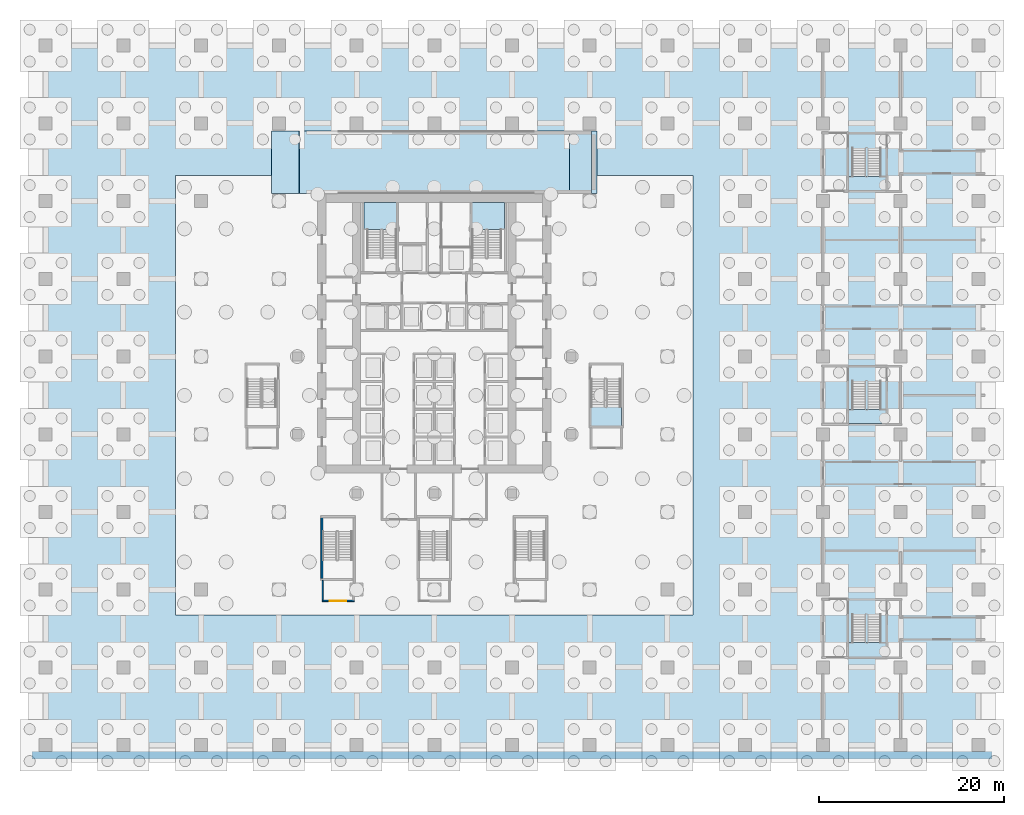
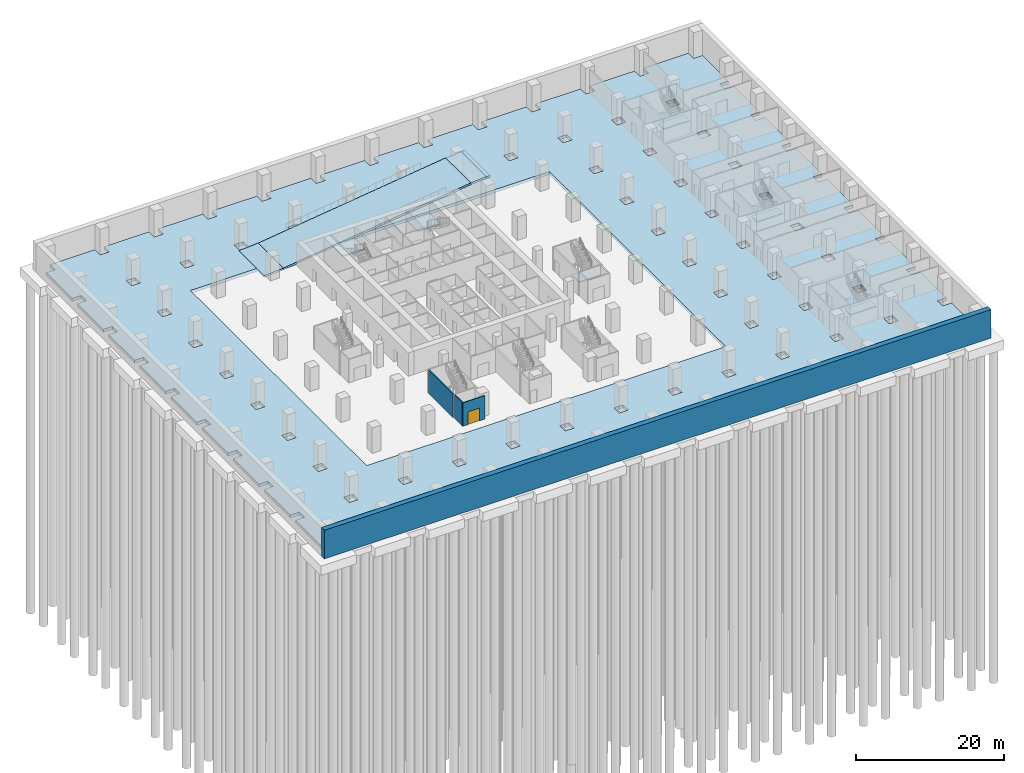
# One storey, part 8 of 22: 11 slabs, 4 walls, 1 door, 1 opening, 6 elements without a shape of their own.
"""IFC4 building model written with IfcOpenShell, lengths in metres."""

from ifc_helpers import new_model, si_unit, direction, frame, frame_2d, origin, place, context, subcontext, project, spatial, polyline, rectangle, outline, extrude, material, layer, layer_set, type_object, element, fill, aggregate, save


model = new_model("IFC4")

# Units and contexts
model_context = context("Model", 3, precision=1e-05, world=origin(), true_north=direction((0.0, 1.0)))
body_context = subcontext(model_context, "Body", "Model", "MODEL_VIEW")
ifc_project = project(units=[si_unit("LENGTHUNIT", "METRE"), si_unit("AREAUNIT", "SQUARE_METRE"), si_unit("VOLUMEUNIT", "CUBIC_METRE"), si_unit("PLANEANGLEUNIT", "RADIAN"), si_unit("MASSUNIT", "GRAM", prefix="KILO")], contexts=[model_context])

# Site, building, storey
site_placement = place(None, origin())
site = spatial("IfcSite", under=ifc_project, at=site_placement, CompositionType="ELEMENT")
building_placement = place(site_placement, origin())
building = spatial("IfcBuilding", under=site, at=building_placement, Name="Vermilion Ogive Tower", CompositionType="ELEMENT")
storey_placement = place(building_placement, frame((0.0, 0.0, -8.39990234375)))
storey = spatial("IfcBuildingStorey", under=building, at=storey_placement, Name="B2", CompositionType="ELEMENT", Elevation=-8.39990234375)

# Slabs
ifc_material_1 = material(Name="Concrete B45", Category="concrete")
ifc_layer_1 = layer(ifc_material_1, 0.5)
ifc_layer_set_1 = layer_set([ifc_layer_1], Name="Basement base slab 500")
slab_type_1 = type_object("IfcSlabType", Name="Basement base slab 500", PredefinedType="BASESLAB", material=ifc_layer_set_1)
slab_1_placement = place(storey_placement, frame((0.0, 0.0, -0.5)))
element("IfcSlab", 1, at=slab_1_placement, inside=storey, type_object=slab_type_1, Name="B2 slab 1", PredefinedType="BASESLAB", context=body_context, shape_type="SweptSolid", body=[
    extrude(outline(polyline([(59.5, -37.10009765625), (59.5, -30.10009765625), (58.10009765625, -30.10009765625), (58.10009765625, -28.699951171875), (59.5, -28.699951171875), (59.5, -21.699951171875), (58.10009765625, -21.699951171875), (58.10009765625, -20.300048828125), (59.5, -20.300048828125), (59.5, -13.300048828125), (58.10009765625, -13.300048828125), (58.10009765625, -11.89990234375), (59.5, -11.89990234375), (59.5, -4.89990234375), (58.10009765625, -4.89990234375), (58.10009765625, -3.5), (59.5, -3.5), (59.5, 3.5), (58.10009765625, 3.5), (58.10009765625, 4.89990234375), (59.5, 4.89990234375), (59.5, 11.89990234375), (58.10009765625, 11.89990234375), (58.10009765625, 13.300048828125), (59.5, 13.300048828125), (59.5, 20.300048828125), (58.10009765625, 20.300048828125), (58.10009765625, 21.699951171875), (59.5, 21.699951171875), (59.5, 28.699951171875), (58.10009765625, 28.699951171875), (58.10009765625, 30.10009765625), (59.5, 30.10009765625), (59.5, 37.10009765625), (58.10009765625, 37.10009765625), (58.10009765625, 38.5), (51.10009765625, 38.5), (51.10009765625, 37.10009765625), (49.699951171875, 37.10009765625), (49.699951171875, 38.5), (42.699951171875, 38.5), (42.699951171875, 37.10009765625), (41.300048828125, 37.10009765625), (41.300048828125, 38.5), (34.300048828125, 38.5), (34.300048828125, 37.10009765625), (32.89990234375, 37.10009765625), (32.89990234375, 38.5), (25.89990234375, 38.5), (25.89990234375, 37.10009765625), (24.5, 37.10009765625), (24.5, 38.5), (17.5, 38.5), (17.5, 37.10009765625), (16.10009765625, 37.10009765625), (16.10009765625, 38.5), (9.10009765625, 38.5), (9.10009765625, 37.10009765625), (7.699951171875, 37.10009765625), (7.699951171875, 38.5), (0.699951171875, 38.5), (0.699951171875, 37.10009765625), (-0.699951171875, 37.10009765625), (-0.699951171875, 38.5), (-7.699951171875, 38.5), (-7.699951171875, 37.10009765625), (-9.10009765625, 37.10009765625), (-9.10009765625, 38.5), (-16.10009765625, 38.5), (-16.10009765625, 37.10009765625), (-17.5, 37.10009765625), (-17.5, 38.5), (-24.5, 38.5), (-24.5, 37.10009765625), (-25.89990234375, 37.10009765625), (-25.89990234375, 38.5), (-32.89990234375, 38.5), (-32.89990234375, 37.10009765625), (-34.300048828125, 37.10009765625), (-34.300048828125, 38.5), (-41.300048828125, 38.5), (-41.300048828125, 37.10009765625), (-42.699951171875, 37.10009765625), (-42.699951171875, 30.10009765625), (-41.300048828125, 30.10009765625), (-41.300048828125, 28.699951171875), (-42.699951171875, 28.699951171875), (-42.699951171875, 21.699951171875), (-41.300048828125, 21.699951171875), (-41.300048828125, 20.300048828125), (-42.699951171875, 20.300048828125), (-42.699951171875, 13.300048828125), (-41.300048828125, 13.300048828125), (-41.300048828125, 11.89990234375), (-42.699951171875, 11.89990234375), (-42.699951171875, 4.89990234375), (-41.300048828125, 4.89990234375), (-41.300048828125, 3.5), (-42.699951171875, 3.5), (-42.699951171875, -3.5), (-41.300048828125, -3.5), (-41.300048828125, -4.89990234375), (-42.699951171875, -4.89990234375), (-42.699951171875, -11.89990234375), (-41.300048828125, -11.89990234375), (-41.300048828125, -13.300048828125), (-42.699951171875, -13.300048828125), (-42.699951171875, -20.300048828125), (-41.300048828125, -20.300048828125), (-41.300048828125, -21.699951171875), (-42.699951171875, -21.699951171875), (-42.699951171875, -28.699951171875), (-41.300048828125, -28.699951171875), (-41.300048828125, -30.10009765625), (-42.699951171875, -30.10009765625), (-42.699951171875, -37.10009765625), (-41.300048828125, -37.10009765625), (-41.300048828125, -38.5), (-34.300048828125, -38.5), (-34.300048828125, -37.10009765625), (-32.89990234375, -37.10009765625), (-32.89990234375, -38.5), (-25.89990234375, -38.5), (-25.89990234375, -37.10009765625), (-24.5, -37.10009765625), (-24.5, -38.5), (-17.5, -38.5), (-17.5, -37.10009765625), (-16.10009765625, -37.10009765625), (-16.10009765625, -38.5), (-9.10009765625, -38.5), (-9.10009765625, -37.10009765625), (-7.699951171875, -37.10009765625), (-7.699951171875, -38.5), (-0.699951171875, -38.5), (-0.699951171875, -37.10009765625), (0.699951171875, -37.10009765625), (0.699951171875, -38.5), (7.699951171875, -38.5), (7.699951171875, -37.10009765625), (9.10009765625, -37.10009765625), (9.10009765625, -38.5), (16.10009765625, -38.5), (16.10009765625, -37.10009765625), (17.5, -37.10009765625), (17.5, -38.5), (24.5, -38.5), (24.5, -37.10009765625), (25.89990234375, -37.10009765625), (25.89990234375, -38.5), (32.89990234375, -38.5), (32.89990234375, -37.10009765625), (34.300048828125, -37.10009765625), (34.300048828125, -38.5), (41.300048828125, -38.5), (41.300048828125, -37.10009765625), (42.699951171875, -37.10009765625), (42.699951171875, -38.5), (49.699951171875, -38.5), (49.699951171875, -37.10009765625), (51.10009765625, -37.10009765625), (51.10009765625, -38.5), (58.10009765625, -38.5), (58.10009765625, -37.10009765625), (59.5, -37.10009765625)]), holes=[polyline([(-25.89990234375, -28.699951171875), (-24.5, -28.699951171875), (-24.5, -30.10009765625), (-25.89990234375, -30.10009765625), (-25.89990234375, -28.699951171875)]), polyline([(-34.300048828125, -30.10009765625), (-34.300048828125, -28.699951171875), (-32.89990234375, -28.699951171875), (-32.89990234375, -30.10009765625), (-34.300048828125, -30.10009765625)]), polyline([(-17.5, -28.699951171875), (-16.10009765625, -28.699951171875), (-16.10009765625, -30.10009765625), (-17.5, -30.10009765625), (-17.5, -28.699951171875)]), polyline([(-34.300048828125, -20.300048828125), (-32.89990234375, -20.300048828125), (-32.89990234375, -21.699951171875), (-34.300048828125, -21.699951171875), (-34.300048828125, -20.300048828125)]), polyline([(-34.300048828125, -11.89990234375), (-32.89990234375, -11.89990234375), (-32.89990234375, -13.300048828125), (-34.300048828125, -13.300048828125), (-34.300048828125, -11.89990234375)]), polyline([(-34.300048828125, -4.89990234375), (-34.300048828125, -3.5), (-32.89990234375, -3.5), (-32.89990234375, -4.89990234375), (-34.300048828125, -4.89990234375)]), polyline([(-34.300048828125, 4.89990234375), (-32.89990234375, 4.89990234375), (-32.89990234375, 3.5), (-34.300048828125, 3.5), (-34.300048828125, 4.89990234375)]), polyline([(-34.300048828125, 11.89990234375), (-34.300048828125, 13.300048828125), (-32.89990234375, 13.300048828125), (-32.89990234375, 11.89990234375), (-34.300048828125, 11.89990234375)]), polyline([(-34.300048828125, 21.699951171875), (-32.89990234375, 21.699951171875), (-32.89990234375, 20.300048828125), (-34.300048828125, 20.300048828125), (-34.300048828125, 21.699951171875)]), polyline([(-17.5, 30.10009765625), (-16.10009765625, 30.10009765625), (-16.10009765625, 28.699951171875), (-17.5, 28.699951171875), (-17.5, 30.10009765625)]), polyline([(-9.10009765625, 28.699951171875), (-9.10009765625, 30.10009765625), (-7.699951171875, 30.10009765625), (-7.699951171875, 28.699951171875), (-9.10009765625, 28.699951171875)]), polyline([(-25.89990234375, 28.699951171875), (-25.89990234375, 30.10009765625), (-24.5, 30.10009765625), (-24.5, 28.699951171875), (-25.89990234375, 28.699951171875)]), polyline([(-34.300048828125, 28.699951171875), (-34.300048828125, 30.10009765625), (-32.89990234375, 30.10009765625), (-32.89990234375, 28.699951171875), (-34.300048828125, 28.699951171875)]), polyline([(32.89990234375, -30.10009765625), (32.89990234375, -28.699951171875), (34.300048828125, -28.699951171875), (34.300048828125, -30.10009765625), (32.89990234375, -30.10009765625)]), polyline([(24.5, -28.699951171875), (25.89990234375, -28.699951171875), (25.89990234375, -30.10009765625), (24.5, -30.10009765625), (24.5, -28.699951171875)]), polyline([(16.10009765625, -28.699951171875), (17.5, -28.699951171875), (17.5, -30.10009765625), (16.10009765625, -30.10009765625), (16.10009765625, -28.699951171875)]), polyline([(7.699951171875, -30.10009765625), (7.699951171875, -28.699951171875), (9.10009765625, -28.699951171875), (9.10009765625, -30.10009765625), (7.699951171875, -30.10009765625)]), polyline([(-9.10009765625, -28.699951171875), (-7.699951171875, -28.699951171875), (-7.699951171875, -30.10009765625), (-9.10009765625, -30.10009765625), (-9.10009765625, -28.699951171875)]), polyline([(-0.699951171875, -28.699951171875), (0.699951171875, -28.699951171875), (0.699951171875, -30.10009765625), (-0.699951171875, -30.10009765625), (-0.699951171875, -28.699951171875)]), polyline([(32.89990234375, -21.699951171875), (32.89990234375, -20.300048828125), (34.300048828125, -20.300048828125), (34.300048828125, -21.699951171875), (32.89990234375, -21.699951171875)]), polyline([(32.89990234375, -11.89990234375), (34.300048828125, -11.89990234375), (34.300048828125, -13.300048828125), (32.89990234375, -13.300048828125), (32.89990234375, -11.89990234375)]), polyline([(32.89990234375, -3.5), (34.300048828125, -3.5), (34.300048828125, -4.89990234375), (32.89990234375, -4.89990234375), (32.89990234375, -3.5)]), polyline([(32.89990234375, 3.5), (32.89990234375, 4.89990234375), (34.300048828125, 4.89990234375), (34.300048828125, 3.5), (32.89990234375, 3.5)]), polyline([(32.89990234375, 11.89990234375), (32.89990234375, 13.300048828125), (34.300048828125, 13.300048828125), (34.300048828125, 11.89990234375), (32.89990234375, 11.89990234375)]), polyline([(32.89990234375, 21.699951171875), (34.300048828125, 21.699951171875), (34.300048828125, 20.300048828125), (32.89990234375, 20.300048828125), (32.89990234375, 21.699951171875)]), polyline([(24.5, 30.10009765625), (25.89990234375, 30.10009765625), (25.89990234375, 28.699951171875), (24.5, 28.699951171875), (24.5, 30.10009765625)]), polyline([(32.89990234375, 28.699951171875), (32.89990234375, 30.10009765625), (34.300048828125, 30.10009765625), (34.300048828125, 28.699951171875), (32.89990234375, 28.699951171875)]), polyline([(-0.699951171875, 30.10009765625), (0.699951171875, 30.10009765625), (0.699951171875, 28.699951171875), (-0.699951171875, 28.699951171875), (-0.699951171875, 30.10009765625)]), polyline([(16.10009765625, 30.10009765625), (17.5, 30.10009765625), (17.5, 28.699951171875), (16.10009765625, 28.699951171875), (16.10009765625, 30.10009765625)]), polyline([(7.699951171875, 28.699951171875), (7.699951171875, 30.10009765625), (9.10009765625, 30.10009765625), (9.10009765625, 28.699951171875), (7.699951171875, 28.699951171875)]), polyline([(41.300048828125, -30.10009765625), (41.300048828125, -28.699951171875), (42.699951171875, -28.699951171875), (42.699951171875, -30.10009765625), (41.300048828125, -30.10009765625)]), polyline([(49.699951171875, -28.699951171875), (51.10009765625, -28.699951171875), (51.10009765625, -30.10009765625), (49.699951171875, -30.10009765625), (49.699951171875, -28.699951171875)]), polyline([(49.699951171875, -20.300048828125), (51.10009765625, -20.300048828125), (51.10009765625, -21.699951171875), (49.699951171875, -21.699951171875), (49.699951171875, -20.300048828125)]), polyline([(41.300048828125, -21.699951171875), (41.300048828125, -20.300048828125), (42.699951171875, -20.300048828125), (42.699951171875, -21.699951171875), (41.300048828125, -21.699951171875)]), polyline([(41.300048828125, -13.300048828125), (41.300048828125, -11.89990234375), (42.699951171875, -11.89990234375), (42.699951171875, -13.300048828125), (41.300048828125, -13.300048828125)]), polyline([(49.699951171875, -11.89990234375), (51.10009765625, -11.89990234375), (51.10009765625, -13.300048828125), (49.699951171875, -13.300048828125), (49.699951171875, -11.89990234375)]), polyline([(41.300048828125, -4.89990234375), (41.300048828125, -3.5), (42.699951171875, -3.5), (42.699951171875, -4.89990234375), (41.300048828125, -4.89990234375)]), polyline([(49.699951171875, -3.5), (51.10009765625, -3.5), (51.10009765625, -4.89990234375), (49.699951171875, -4.89990234375), (49.699951171875, -3.5)]), polyline([(49.699951171875, 3.5), (49.699951171875, 4.89990234375), (51.10009765625, 4.89990234375), (51.10009765625, 3.5), (49.699951171875, 3.5)]), polyline([(41.300048828125, 4.89990234375), (42.699951171875, 4.89990234375), (42.699951171875, 3.5), (41.300048828125, 3.5), (41.300048828125, 4.89990234375)]), polyline([(49.699951171875, 11.89990234375), (49.699951171875, 13.300048828125), (51.10009765625, 13.300048828125), (51.10009765625, 11.89990234375), (49.699951171875, 11.89990234375)]), polyline([(41.300048828125, 13.300048828125), (42.699951171875, 13.300048828125), (42.699951171875, 11.89990234375), (41.300048828125, 11.89990234375), (41.300048828125, 13.300048828125)]), polyline([(41.300048828125, 20.300048828125), (41.300048828125, 21.699951171875), (42.699951171875, 21.699951171875), (42.699951171875, 20.300048828125), (41.300048828125, 20.300048828125)]), polyline([(49.699951171875, 21.699951171875), (51.10009765625, 21.699951171875), (51.10009765625, 20.300048828125), (49.699951171875, 20.300048828125), (49.699951171875, 21.699951171875)]), polyline([(41.300048828125, 30.10009765625), (42.699951171875, 30.10009765625), (42.699951171875, 28.699951171875), (41.300048828125, 28.699951171875), (41.300048828125, 30.10009765625)]), polyline([(49.699951171875, 30.10009765625), (51.10009765625, 30.10009765625), (51.10009765625, 28.699951171875), (49.699951171875, 28.699951171875), (49.699951171875, 30.10009765625)]), polyline([(-27.949951171875, 23.75), (-17.60009765625, 23.75), (-17.60009765625, 28.60009765625), (-13.780517578125, 28.60009765625), (-13.780517578125, 23.75), (27.949951171875, 23.75), (27.949951171875, -23.75), (-27.949951171875, -23.75), (-27.949951171875, 23.75)])]), origin(), (0.0, 0.0, 1.0), 0.5),
])
ifc_material_2 = material(Name="Concrete B45", Category="concrete")
ifc_layer_2 = layer(ifc_material_2, 0.300048828125)
ifc_layer_set_2 = layer_set([ifc_layer_2], Name="Car park ramp slab 300 Concrete B45")
slab_type_2 = type_object("IfcSlabType", Name="Car park ramp slab 300 Concrete B45", PredefinedType="FLOOR", material=ifc_layer_set_2)
slab_2_placement = place(storey_placement, frame((-17.60009765625, 21.800048828125, 0.0), z_axis=(-0.06504749491, 0.0, 0.997882169099), x_axis=(0.997882169099, 0.0, 0.06504749491)))
element("IfcSlab", 2, at=slab_2_placement, inside=storey, type_object=slab_type_2, Name="Car park ramp RB basement 2 to 1 slab 1", PredefinedType="FLOOR", context=body_context, shape_type="SweptSolid", body=[
    extrude(outline(polyline([(0.0, 0.0), (3.0063669768829846, 0.0), (3.0063669768829846, 6.800048828125002), (0.0, 6.800048828125002), (0.0, 0.0)])), origin(), (0.0, 0.0, -1.0), 0.300048828125),
])
slab_3_placement = place(storey_placement, frame((-14.60009765625, 21.800048828125, 0.195556640625), z_axis=(-0.129334930845, 0.0, 0.991600965945), x_axis=(0.991600965945, 0.0, 0.129334930845)))
element("IfcSlab", 3, at=slab_3_placement, inside=storey, type_object=slab_type_2, Name="Car park ramp RB basement 2 to 1 slab 2", PredefinedType="FLOOR", context=body_context, shape_type="SweptSolid", body=[
    extrude(outline(polyline([(0.0, 0.0), (29.447526086934467, 0.0), (29.447526086934467, 6.800048828125), (0.0, 6.800048828125), (0.0, 0.0)])), origin(), (0.0, 0.0, -1.0), 0.300048828125),
])
slab_4_placement = place(storey_placement, frame((14.60009765625, 21.800048828125, 4.004150390625), z_axis=(-0.08131678756, 0.0, 0.996688306373), x_axis=(0.996688306373, 0.0, 0.08131678756)))
element("IfcSlab", 4, at=slab_4_placement, inside=storey, type_object=slab_type_2, Name="Car park ramp RB basement 2 to 1 slab 3", PredefinedType="FLOOR", context=body_context, shape_type="SweptSolid", body=[
    extrude(outline(polyline([(0.0, 0.0), (2.407876492986061, 0.0), (2.407876492986061, 6.800048828125), (0.0, 6.800048828125), (0.0, 0.0)])), origin(), (0.0, 0.0, -1.0), 0.300048828125),
])
slab_5_placement = place(storey_placement, frame((0.0, 0.0, 3.89990234375)))
element("IfcSlab", 5, at=slab_5_placement, inside=storey, type_object=slab_type_2, Name="Car park ramp RB basement 2 to 1 slab 4", PredefinedType="FLOOR", context=body_context, shape_type="SweptSolid", body=[
    extrude(outline(polyline([(17.0, 21.800048828125), (17.60009765625, 21.800048828125), (17.60009765625, 28.60009765625), (17.0, 28.60009765625), (17.0, 21.800048828125)])), origin(), (0.0, 0.0, 1.0), 0.300048828125),
])

# Stair, slab
ifc_material_3 = material(Name="Concrete B40", Category="concrete")
stair_type = type_object("IfcStairType", Name="Exit stair 1500", PredefinedType="HALF_TURN_STAIR", material=ifc_material_3)
stair_1_placement = place(storey_placement, origin())
stair_1 = element("IfcStair", 6, at=stair_1_placement, inside=storey, type_object=stair_type, Name="B2 Exit Stair ST1", PredefinedType="HALF_TURN_STAIR")
ifc_material_4 = material(Name="Concrete B40", Category="concrete")
ifc_layer_3 = layer(ifc_material_4, 0.199951171875)
ifc_layer_set_3 = layer_set([ifc_layer_3], Name="Stair landing 200")
slab_type_3 = type_object("IfcSlabType", Name="Stair landing 200", PredefinedType="LANDING", material=ifc_layer_set_3)
slab_6_placement = place(storey_placement, frame((0.0, 0.0, 1.89990234375)))
slab_6 = element("IfcSlab", 7, at=slab_6_placement, type_object=slab_type_3, Name="ST1 landing 1", PredefinedType="LANDING", context=body_context, shape_type="SweptSolid", body=[
    extrude(outline(polyline([(-7.60009765625, 17.929931640625), (-7.25, 17.929931640625), (-7.25, 17.927978515625), (-5.75, 17.927978515625), (-5.75, 17.929931640625), (-5.60009765625, 17.929931640625), (-5.60009765625, 17.927978515625), (-4.10009765625, 17.927978515625), (-4.10009765625, 20.85009765625), (-7.60009765625, 20.85009765625), (-7.60009765625, 17.929931640625)])), origin(), (0.0, 0.0, 1.0), 0.199951171875),
])
aggregate(stair_1, [slab_6])

stair_2_placement = place(storey_placement, origin())
stair_2 = element("IfcStair", 8, at=stair_2_placement, inside=storey, type_object=stair_type, Name="B2 Exit Stair ST2", PredefinedType="HALF_TURN_STAIR")
slab_7_placement = place(storey_placement, frame((0.0, 0.0, 1.89990234375)))
slab_7 = element("IfcSlab", 9, at=slab_7_placement, type_object=slab_type_3, Name="ST2 landing 1", PredefinedType="LANDING", context=body_context, shape_type="SweptSolid", body=[
    extrude(outline(polyline([(5.60009765625, 17.929931640625), (5.75, 17.929931640625), (5.75, 17.927978515625), (7.25, 17.927978515625), (7.25, 17.929931640625), (7.60009765625, 17.929931640625), (7.60009765625, 20.85009765625), (4.074951171875, 20.85009765625), (4.074951171875, 17.929931640625), (4.10009765625, 17.929931640625), (4.10009765625, 17.927978515625), (5.60009765625, 17.927978515625), (5.60009765625, 17.929931640625)])), origin(), (0.0, 0.0, 1.0), 0.199951171875),
])
aggregate(stair_2, [slab_7])

stair_3_placement = place(storey_placement, origin())
stair_3 = element("IfcStair", 10, at=stair_3_placement, inside=storey, type_object=stair_type, Name="B2 Exit Stair ST8", PredefinedType="HALF_TURN_STAIR")
slab_8_placement = place(storey_placement, frame((0.0, 0.0, 1.89990234375)))
slab_8 = element("IfcSlab", 11, at=slab_8_placement, type_object=slab_type_3, Name="ST8 landing 1", PredefinedType="LANDING", context=body_context, shape_type="SweptSolid", body=[
    extrude(outline(polyline([(20.25, -1.280029296875), (20.10009765625, -1.280029296875), (20.10009765625, -1.278076171875), (18.60009765625, -1.278076171875), (18.60009765625, -1.280029296875), (18.449951171875, -1.280029296875), (18.449951171875, -1.278076171875), (16.949951171875, -1.278076171875), (16.949951171875, -3.300048828125), (20.25, -3.300048828125), (20.25, -1.280029296875)])), origin(), (0.0, 0.0, 1.0), 0.199951171875),
])
aggregate(stair_3, [slab_8])

stair_4_placement = place(storey_placement, origin())
stair_4 = element("IfcStair", 12, at=stair_4_placement, inside=storey, type_object=stair_type, Name="B2 Exit Stair PEN", PredefinedType="HALF_TURN_STAIR")
slab_9_placement = place(storey_placement, frame((0.0, 0.0, 1.89990234375)))
slab_9 = element("IfcSlab", 13, at=slab_9_placement, type_object=slab_type_3, Name="PEN landing 1", PredefinedType="LANDING", context=body_context, shape_type="SweptSolid", body=[
    extrude(outline(polyline([(48.8125, 23.669921875), (48.300048828125, 23.669921875), (48.300048828125, 23.672119140625), (46.800048828125, 23.672119140625), (46.800048828125, 23.669921875), (46.64990234375, 23.669921875), (46.64990234375, 23.672119140625), (45.14990234375, 23.672119140625), (45.14990234375, 23.669921875), (44.787353515625, 23.669921875), (44.787353515625, 22.150146484375), (48.8125, 22.150146484375), (48.8125, 23.669921875)])), origin(), (0.0, 0.0, 1.0), 0.199951171875),
])
aggregate(stair_4, [slab_9])

stair_5_placement = place(storey_placement, origin())
stair_5 = element("IfcStair", 14, at=stair_5_placement, inside=storey, type_object=stair_type, Name="B2 Exit Stair PEC", PredefinedType="HALF_TURN_STAIR")
slab_10_placement = place(storey_placement, frame((0.0, 0.0, 1.89990234375)))
slab_10 = element("IfcSlab", 15, at=slab_10_placement, type_object=slab_type_3, Name="PEC landing 1", PredefinedType="LANDING", context=body_context, shape_type="SweptSolid", body=[
    extrude(outline(polyline([(48.8125, -1.530029296875), (48.300048828125, -1.530029296875), (48.300048828125, -1.528076171875), (46.800048828125, -1.528076171875), (46.800048828125, -1.530029296875), (46.64990234375, -1.530029296875), (46.64990234375, -1.528076171875), (45.14990234375, -1.528076171875), (45.14990234375, -1.530029296875), (44.787353515625, -1.530029296875), (44.787353515625, -3.0498046875), (48.8125, -3.0498046875), (48.8125, -1.530029296875)])), origin(), (0.0, 0.0, 1.0), 0.199951171875),
])
aggregate(stair_5, [slab_10])

stair_6_placement = place(storey_placement, origin())
stair_6 = element("IfcStair", 16, at=stair_6_placement, inside=storey, type_object=stair_type, Name="B2 Exit Stair PES", PredefinedType="HALF_TURN_STAIR")
slab_11_placement = place(storey_placement, frame((0.0, 0.0, 1.89990234375)))
slab_11 = element("IfcSlab", 17, at=slab_11_placement, type_object=slab_type_3, Name="PES landing 1", PredefinedType="LANDING", context=body_context, shape_type="SweptSolid", body=[
    extrude(outline(polyline([(48.8125, -26.72998046875), (48.300048828125, -26.72998046875), (48.300048828125, -26.72802734375), (46.800048828125, -26.72802734375), (46.800048828125, -26.72998046875), (46.64990234375, -26.72998046875), (46.64990234375, -26.72802734375), (45.14990234375, -26.72802734375), (45.14990234375, -26.72998046875), (44.787353515625, -26.72998046875), (44.787353515625, -28.25), (48.8125, -28.25), (48.8125, -26.72998046875)])), origin(), (0.0, 0.0, 1.0), 0.199951171875),
])
aggregate(stair_6, [slab_11])

# Wall
ifc_material_5 = material(Name="Concrete B45", Category="concrete")
ifc_layer_4 = layer(ifc_material_5, 0.800048828125)
ifc_layer_set_4 = layer_set([ifc_layer_4], Name="Basement wall RW800")
wall_type_1 = type_object("IfcWallType", Name="Basement wall RW800", PredefinedType="SOLIDWALL", material=ifc_layer_set_4)
wall_1_placement = place(storey_placement, frame((-43.5, -38.89990234375, -0.5), z_axis=(0.0, 0.0, 1.0), x_axis=(1.0, 0.0, 0.0)))
element("IfcWall", 18, at=wall_1_placement, inside=storey, type_object=wall_type_1, Name="Retaining wall B2 S", PredefinedType="SOLIDWALL", context=body_context, shape_type="SweptSolid", body=[
    extrude(rectangle(XDim=103.800048828125, YDim=0.800048828125, at=frame_2d((51.89990234375, 0.0))), origin(), (0.0, 0.0, 1.0), 4.699951171875),
])

# Wall, opening, door
ifc_material_6 = material(Name="Gypsum board partition on steel studs", Category="steel")
ifc_layer_5 = layer(ifc_material_6, 0.14990234375)
ifc_layer_set_5 = layer_set([ifc_layer_5], Name="Partition 150 corridor")
wall_type_2 = type_object("IfcWallType", Name="Partition 150 corridor", PredefinedType="PARTITIONING", material=ifc_layer_set_5)
wall_2_placement = place(storey_placement, frame((-12.125, -22.199951171875, 0.0), z_axis=(0.0, 0.0, 1.0), x_axis=(1.0, 0.0, 0.0)))
wall_2 = element("IfcWall", 19, at=wall_2_placement, inside=storey, type_object=wall_type_2, Name="B2-PK-W-W006", PredefinedType="PARTITIONING", context=body_context, shape_type="SweptSolid", body=[
    extrude(rectangle(XDim=3.449951171875, YDim=0.14990234375, at=frame_2d((1.72509765625, 0.0))), origin(), (0.0, 0.0, 1.0), 3.849853515625),
])
opening_placement = place(wall_2_placement, frame((0.824951171875, 0.0, 0.0)))
opening = element("IfcOpeningElement", 20, at=opening_placement, cuts=wall_2, Name="Opening PK2-03", PredefinedType="OPENING", context=body_context, shape_type="SweptSolid", body=[
    extrude(rectangle(XDim=1.800048828125, YDim=2.10009765625, at=frame_2d((0.89990234375, 1.050048828125))), frame((0.0, 0.0849609375, 0.0), z_axis=(0.0, -1.0, 0.0), x_axis=(1.0, 0.0, 0.0)), (0.0, 0.0, 1.0), 0.169921875),
])
ifc_material_7 = material(Name="Timber door leaf", Category="wood")
door_type = type_object("IfcDoorType", Name="Lobby door 1800 x 2100 FD60S", OperationType="DOUBLE_DOOR_SINGLE_SWING", PredefinedType="DOOR", material=ifc_material_7)
door_placement = place(opening_placement, origin())
door = element("IfcDoor", 21, at=door_placement, inside=storey, type_object=door_type, Name="B2-PK-D-D003", OperationType="DOUBLE_DOOR_SINGLE_SWING", OverallHeight=2.10009765625, OverallWidth=1.800048828125, PredefinedType="DOOR", context=body_context, shape_type="SweptSolid", body=[
    extrude(rectangle(XDim=1.800048828125, YDim=2.10009765625, at=frame_2d((0.89990234375, 1.050048828125))), frame((0.0, 0.02490234375, 0.0), z_axis=(0.0, -1.0, 0.0), x_axis=(1.0, 0.0, 0.0)), (0.0, 0.0, 1.0), 0.050048828125),
])
fill(opening, door)

# Walls
wall_3_placement = place(storey_placement, frame((-12.050048828125, -22.125, 0.0), z_axis=(0.0, 0.0, 1.0), x_axis=(0.0, 1.0, 0.0)))
element("IfcWall", 22, at=wall_3_placement, inside=storey, type_object=wall_type_2, Name="B2-PK-W-W039", PredefinedType="PARTITIONING", context=body_context, shape_type="SweptSolid", body=[
    extrude(rectangle(XDim=2.125, YDim=0.14990234375, at=frame_2d((1.0625, 0.0))), origin(), (0.0, 0.0, 1.0), 3.849853515625),
])
ifc_material_8 = material(Name="Concrete B60", Category="concrete")
ifc_layer_6 = layer(ifc_material_8, 0.199951171875)
ifc_layer_set_6 = layer_set([ifc_layer_6], Name="Stair shaft wall 200 Concrete B60")
wall_type_3 = type_object("IfcWallType", Name="Stair shaft wall 200 Concrete B60", PredefinedType="SOLIDWALL", material=ifc_layer_set_6)
wall_4_placement = place(storey_placement, frame((-12.14990234375, -19.800048828125, 0.0), z_axis=(0.0, 0.0, 1.0), x_axis=(0.0, 1.0, 0.0)))
element("IfcWall", 23, at=wall_4_placement, inside=storey, type_object=wall_type_3, Name="B2-SW-ST3-W1", PredefinedType="SOLIDWALL", context=body_context, shape_type="SweptSolid", body=[
    extrude(rectangle(XDim=6.60009765625, YDim=0.199951171875, at=frame_2d((3.300048828125, 0.0))), origin(), (0.0, 0.0, 1.0), 3.849853515625),
])

save(model, "model.ifc")
